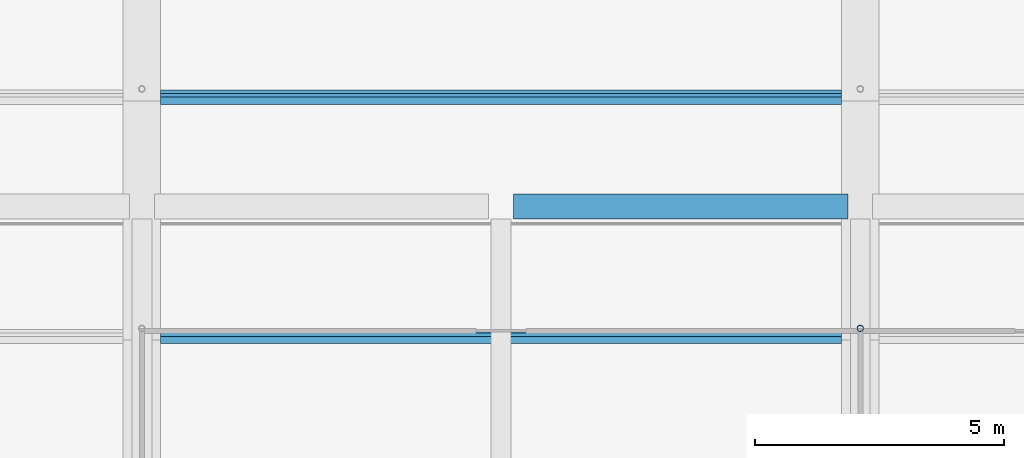
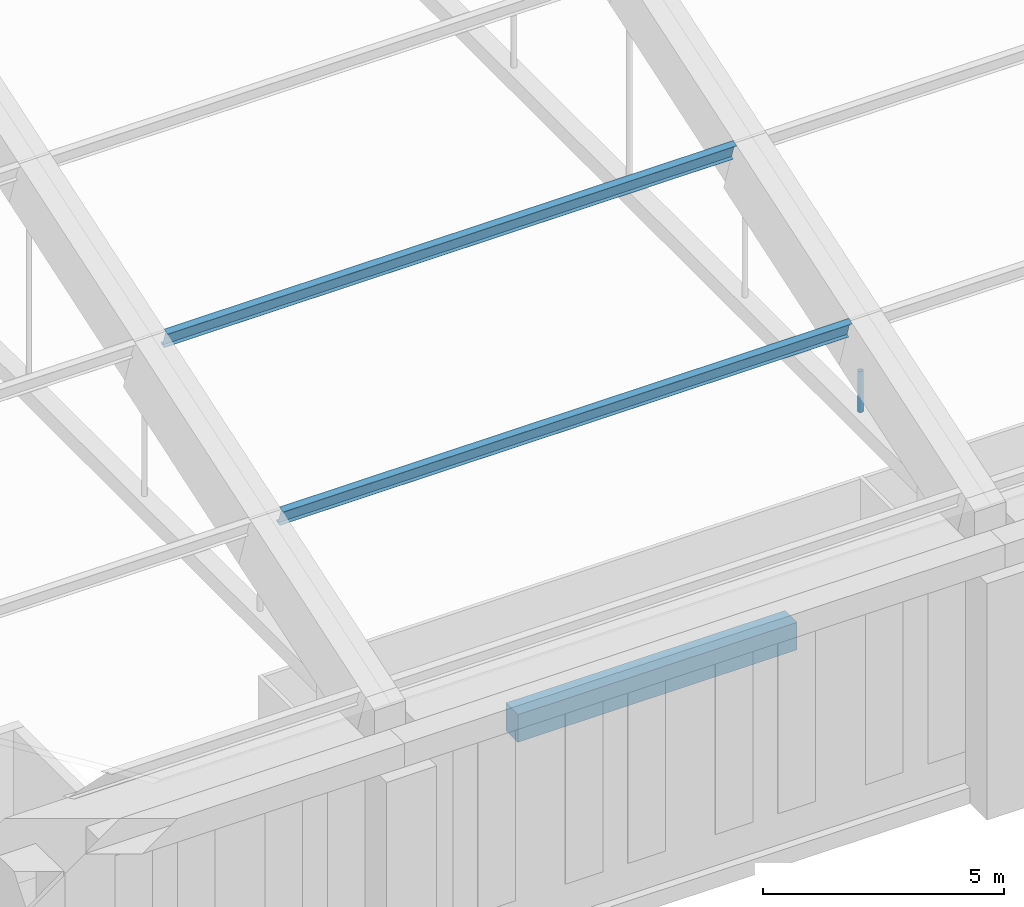
# One storey, part 9 of 149: 3 members, 1 beam.
"""IFC4 building model written with IfcOpenShell, lengths in metres."""

import ifcopenshell
import ifcopenshell.guid

model = None  # the IFC model being written
_history = None  # IfcOwnerHistory: only IFC2X3 demands one
_inside = {}  # id of a spatial element -> (the spatial element, [elements in it])
_under = {}  # id of a project, library or spatial element -> (it, [spatial elements below it])
_declared = {}  # id of a project -> (the project, [libraries it declares])
_typed = {}  # id of a type object -> (the type object, [elements of that type])
_made_of = {}  # id of a material, layer set ... -> (it, [elements and type objects made of it])


def new_model(schema):
    """Start an empty IFC model of exactly this schema.

    Asked for "IFC4X3", IfcOpenShell would pick the latest addendum, in which some entities
    have other attributes; the version numbers below select the first issue.
    IFC2X3 requires an IfcOwnerHistory on every rooted entity: one is made here for all.
    """
    global model, _history
    if schema == "IFC4X3":
        model = ifcopenshell.file(schema_version=(4, 3, 0, 0))
    else:
        model = ifcopenshell.file(schema=schema)
    _inside.clear()
    _under.clear()
    _declared.clear()
    _typed.clear()
    _made_of.clear()
    _history = None
    if model.schema == "IFC2X3":
        org = make("IfcOrganization", Name="unknown")
        user = make(
            "IfcPersonAndOrganization",
            ThePerson=make("IfcPerson", FamilyName="unknown"),
            TheOrganization=org,
        )
        app = make(
            "IfcApplication",
            ApplicationDeveloper=org,
            Version="unknown",
            ApplicationFullName="unknown",
            ApplicationIdentifier="unknown",
        )
        _history = make(
            "IfcOwnerHistory",
            OwningUser=user,
            OwningApplication=app,
            ChangeAction="ADDED",
            CreationDate=0,
        )
    return model


def make(cls, **values):
    """One entity of the class cls with the attributes given. An attribute that is None is left unset."""
    return model.create_entity(
        cls, **{name: value for name, value in values.items() if value is not None}
    )


def rooted(cls, **values):
    """An entity with a GlobalId (a new one), such as an element, a storey or a relation."""
    return make(cls, GlobalId=ifcopenshell.guid.new(), OwnerHistory=_history, **values)


def si_unit(unit_type, name, prefix=None):
    """IfcSIUnit, for example si_unit("LENGTHUNIT", "METRE", prefix="MILLI")."""
    return make("IfcSIUnit", UnitType=unit_type, Prefix=prefix, Name=name)


def assignment(units):
    """IfcUnitAssignment: the units of a project."""
    return None if units is None else make("IfcUnitAssignment", Units=units)


def point(xyz):
    """IfcCartesianPoint."""
    return None if xyz is None else make("IfcCartesianPoint", Coordinates=xyz)


def direction(xyz):
    """IfcDirection."""
    return None if xyz is None else make("IfcDirection", DirectionRatios=xyz)


def frame(location, z_axis=None, x_axis=None):
    """IfcAxis2Placement3D, a coordinate frame: its origin and axes. An axis left out is left unset."""
    return make(
        "IfcAxis2Placement3D",
        Location=point(location),
        Axis=direction(z_axis),
        RefDirection=direction(x_axis),
    )


def frame_2d(location, x_axis=None):
    """IfcAxis2Placement2D, a coordinate frame in the plane: its origin and x axis."""
    return make(
        "IfcAxis2Placement2D", Location=point(location), RefDirection=direction(x_axis)
    )


def origin():
    """The frame at (0, 0, 0) with its axes left unset."""
    return frame((0.0, 0.0, 0.0))


def origin_2d():
    """The frame at (0, 0) in the plane with its x axis left unset."""
    return frame_2d((0.0, 0.0))


def place(relative_to, where):
    """IfcLocalPlacement: puts the frame where relative to a parent placement (None: the world)."""
    return make(
        "IfcLocalPlacement", PlacementRelTo=relative_to, RelativePlacement=where
    )


def context(
    kind, dimensions, precision=None, world=None, true_north=None, identifier=None
):
    """IfcGeometricRepresentationContext, for example the 3D "Model" context."""
    return make(
        "IfcGeometricRepresentationContext",
        ContextIdentifier=identifier,
        ContextType=kind,
        CoordinateSpaceDimension=dimensions,
        Precision=precision,
        WorldCoordinateSystem=world,
        TrueNorth=true_north,
    )


def subcontext(parent, identifier, kind, view, scale=None):
    """IfcGeometricRepresentationSubContext, for example "Body" below "Model"."""
    return make(
        "IfcGeometricRepresentationSubContext",
        ContextIdentifier=identifier,
        ContextType=kind,
        ParentContext=parent,
        TargetScale=scale,
        TargetView=view,
    )


def project(units=None, contexts=None):
    """IfcProject with its units and contexts."""
    return rooted(
        "IfcProject",
        Name="project",
        RepresentationContexts=contexts,
        UnitsInContext=assignment(units),
    )


def spatial(cls, under=None, at=None, **own):
    """A site, building, storey or space (cls), placed at a placement, below another one or the project."""
    s = rooted(cls, ObjectPlacement=at, **own)
    if under is not None:
        _under.setdefault(under.id(), (under, []))[1].append(s)
    return s


def profile(cls, at=None, kind="AREA", **sizes):
    """A parametric profile (cls). Its sizes go by their IFC names, for example OverallWidth=200.0."""
    return make(cls, ProfileType=kind, Position=at, **sizes)


def rectangle(**sizes):
    """IfcRectangleProfileDef."""
    return profile("IfcRectangleProfileDef", **sizes)


def hollow_circle(**sizes):
    """IfcCircleHollowProfileDef."""
    return profile("IfcCircleHollowProfileDef", **sizes)


def i_section(**sizes):
    """IfcIShapeProfileDef."""
    return profile("IfcIShapeProfileDef", **sizes)


def extrude(swept, where, along, depth):
    """IfcExtrudedAreaSolid: the profile swept, set in the frame where, extruded along a direction by depth."""
    return make(
        "IfcExtrudedAreaSolid",
        SweptArea=swept,
        Position=where,
        ExtrudedDirection=direction(along),
        Depth=depth,
    )


def shape(context_of_items, identifier, shape_type, items):
    """IfcShapeRepresentation: the items that make up one representation, for example the "Body"."""
    return make(
        "IfcShapeRepresentation",
        ContextOfItems=context_of_items,
        RepresentationIdentifier=identifier,
        RepresentationType=shape_type,
        Items=items,
    )


def material(Name=None, Category=None):
    """IfcMaterial."""
    return make("IfcMaterial", Name=Name, Category=Category)


def material_profile(
    of_material, cross_section, Name=None, Category=None, Priority=None
):
    """IfcMaterialProfile: a cross section and its material."""
    return make(
        "IfcMaterialProfile",
        Name=Name,
        Material=of_material,
        Profile=cross_section,
        Priority=Priority,
        Category=Category,
    )


def profile_set(profiles, Name=None, composite=None):
    """IfcMaterialProfileSet."""
    return make(
        "IfcMaterialProfileSet",
        Name=Name,
        MaterialProfiles=profiles,
        CompositeProfile=composite,
    )


def made_of(thing, what):
    """Note that an element or type object is made of a material, layer set ...; save() writes the relation."""
    if what is not None:
        _made_of.setdefault(what.id(), (what, []))[1].append(thing)
    return thing


def type_object(cls, material=None, **own):
    """A type object (cls), such as IfcWallType, which elements share."""
    return made_of(rooted(cls, **own), material)


def element(
    cls,
    number,
    at=None,
    inside=None,
    cuts=None,
    type_object=None,
    material=None,
    context=None,
    identifier="Body",
    shape_type=None,
    held_by="IfcProductDefinitionShape",
    body=None,
    shapes=None,
    **own,
):
    """One element of the class cls, such as IfcWall. Its Tag is "e" and its number.

    at: its placement. inside: the storey or other place that contains it. cuts: it is an
    opening in that element (IfcRelVoidsElement). A single representation is given by context,
    identifier, shape_type and body (its items); several are given by shapes. held_by: the class
    of the entity that holds the representations. save() writes the other relations.
    """
    e = rooted(cls, Tag="e%d" % number, ObjectPlacement=at, **own)
    if body is not None:
        shapes = [shape(context, identifier, shape_type, body)]
    if shapes is not None:
        e.Representation = make(held_by, Representations=shapes)
    if inside is not None:
        _inside.setdefault(inside.id(), (inside, []))[1].append(e)
    if cuts is not None:
        rooted(
            "IfcRelVoidsElement", RelatingBuildingElement=cuts, RelatedOpeningElement=e
        )
    if type_object is not None:
        _typed.setdefault(type_object.id(), (type_object, []))[1].append(e)
    return made_of(e, material)


def aggregate(whole, parts):
    """IfcRelAggregates: a whole, such as a stair, and the parts it consists of."""
    return rooted("IfcRelAggregates", RelatingObject=whole, RelatedObjects=parts)


def save(model, path):
    """Write the relations noted so far, then the file.

    IfcRelAggregates (storeys below a building ...), IfcRelContainedInSpatialStructure (elements
    in a storey), IfcRelDefinesByType, IfcRelAssociatesMaterial and IfcRelDeclares: one each for
    every whole, place, type object, material and project.
    """
    for whole, parts in _under.values():
        aggregate(whole, parts)
    for where, things in _inside.values():
        rooted(
            "IfcRelContainedInSpatialStructure",
            RelatedElements=things,
            RelatingStructure=where,
        )
    for kind, things in _typed.values():
        rooted("IfcRelDefinesByType", RelatedObjects=things, RelatingType=kind)
    for what, things in _made_of.values():
        rooted("IfcRelAssociatesMaterial", RelatedObjects=things, RelatingMaterial=what)
    for by, libraries in _declared.values():
        rooted("IfcRelDeclares", RelatingContext=by, RelatedDefinitions=libraries)
    model.write(path)


model = new_model("IFC4")

# Units and contexts
model_context = context("Model", 3, precision=1e-05, world=origin(), true_north=direction((0.0, 1.0)))
body_context = subcontext(model_context, "Body", "Model", "MODEL_VIEW")
ifc_project = project(units=[si_unit("LENGTHUNIT", "METRE"), si_unit("AREAUNIT", "SQUARE_METRE"), si_unit("VOLUMEUNIT", "CUBIC_METRE"), si_unit("PLANEANGLEUNIT", "RADIAN"), si_unit("MASSUNIT", "GRAM", prefix="KILO")], contexts=[model_context])

# Site, building, storey
site_placement = place(None, origin())
site = spatial("IfcSite", under=ifc_project, at=site_placement, CompositionType="ELEMENT")
building_placement = place(site_placement, origin())
building = spatial("IfcBuilding", under=site, at=building_placement, Name="Alderwick Market Hall", CompositionType="ELEMENT")
storey_placement = place(building_placement, frame((0.0, 0.0, 9.60009765625)))
storey = spatial("IfcBuildingStorey", under=building, at=storey_placement, Name="L01", CompositionType="ELEMENT", Elevation=9.60009765625)

# Beam
ifc_material_1 = material(Name="Concrete 5000 psi (f'c 35 MPa)", Category="concrete")
ifc_material_profile_1 = material_profile(ifc_material_1, rectangle(XDim=0.5, YDim=0.699951171875, at=origin_2d()), Name="RC 500x700")
ifc_profile_set_1 = profile_set([ifc_material_profile_1], Name="Concrete 5000 psi (f'c 35 MPa)")
beam_type = type_object("IfcBeamType", Name="H Edge beam 500x700", PredefinedType="BEAM", material=ifc_profile_set_1)
beam_placement = place(storey_placement, frame((72.25, 57.639892578125, -0.60009765625), z_axis=(1.0, 0.0, 0.0), x_axis=(0.0, 1.0, 0.0)))
element("IfcBeam", 1, at=beam_placement, inside=storey, type_object=beam_type, Name="Gallery edge beam S", PredefinedType="BEAM", context=body_context, shape_type="SweptSolid", body=[
    extrude(rectangle(XDim=0.5, YDim=0.699951171875, at=origin_2d()), origin(), (0.0, 0.0, 1.0), 6.699951171875),
])

# Members
ifc_material_2 = material(Name="Steel ASTM A500 Grade C", Category="steel")
ifc_material_profile_2 = material_profile(ifc_material_2, hollow_circle(Radius=0.0634765625, WallThickness=0.005859375, at=origin_2d()), Name="HSS5.000x0.250")
ifc_profile_set_2 = profile_set([ifc_material_profile_2], Name="Steel ASTM A500 Grade C")
member_type_1 = type_object("IfcMemberType", Name="R Hanger HSS5.000x0.250", PredefinedType="POST", material=ifc_profile_set_2)
member_placement = place(storey_placement, frame((79.199951171875, 55.199951171875, 6.35302734375), z_axis=(0.0, 0.0, 1.0), x_axis=(1.0, 0.0, 0.0)))
element("IfcMember", 2, at=member_placement, inside=storey, type_object=member_type_1, Name="Arch hanger 3.1", PredefinedType="POST", context=body_context, shape_type="SweptSolid", body=[
    extrude(hollow_circle(Radius=0.0634765625, WallThickness=0.005859375, at=origin_2d()), origin(), (0.0, 0.0, 1.0), 1.03515625),
])
ifc_material_3 = material(Name="Steel ASTM A992 Grade 50", Category="steel")
ifc_material_profile_3 = material_profile(ifc_material_3, i_section(OverallWidth=0.153076171875, OverallDepth=0.455078125, WebThickness=0.008056640625, FlangeThickness=0.01318359375, at=origin_2d()), Name="W18x40")
ifc_profile_set_3 = profile_set([ifc_material_profile_3], Name="Steel ASTM A992 Grade 50")
member_type_2 = type_object("IfcMemberType", Name="R Purlin W18x40", PredefinedType="PURLIN", material=ifc_profile_set_3)
for number, where, z_axis, x_axis, name in (
    (3, (65.175048828125, 55.03662109375, 8.68994140625), (1.0, 0.0, 0.0), (0.0, 0.948683297073, 0.316227768949), "Roof purlin 2.2"),
    (4, (65.175048828125, 59.836669921875, 10.289794921875), (1.0, 0.0, 0.0), (0.0, 0.948683297073, 0.316227768949), "Roof purlin 3.2"),
):
    element("IfcMember", number, at=place(storey_placement, frame(where, z_axis=z_axis, x_axis=x_axis)), inside=storey, type_object=member_type_2, Name=name, PredefinedType="PURLIN", context=body_context, shape_type="SweptSolid", body=[
        extrude(i_section(OverallWidth=0.153076171875, OverallDepth=0.455078125, WebThickness=0.008056640625, FlangeThickness=0.01318359375, at=origin_2d()), origin(), (0.0, 0.0, 1.0), 13.64990234375),
    ])

save(model, "model.ifc")
